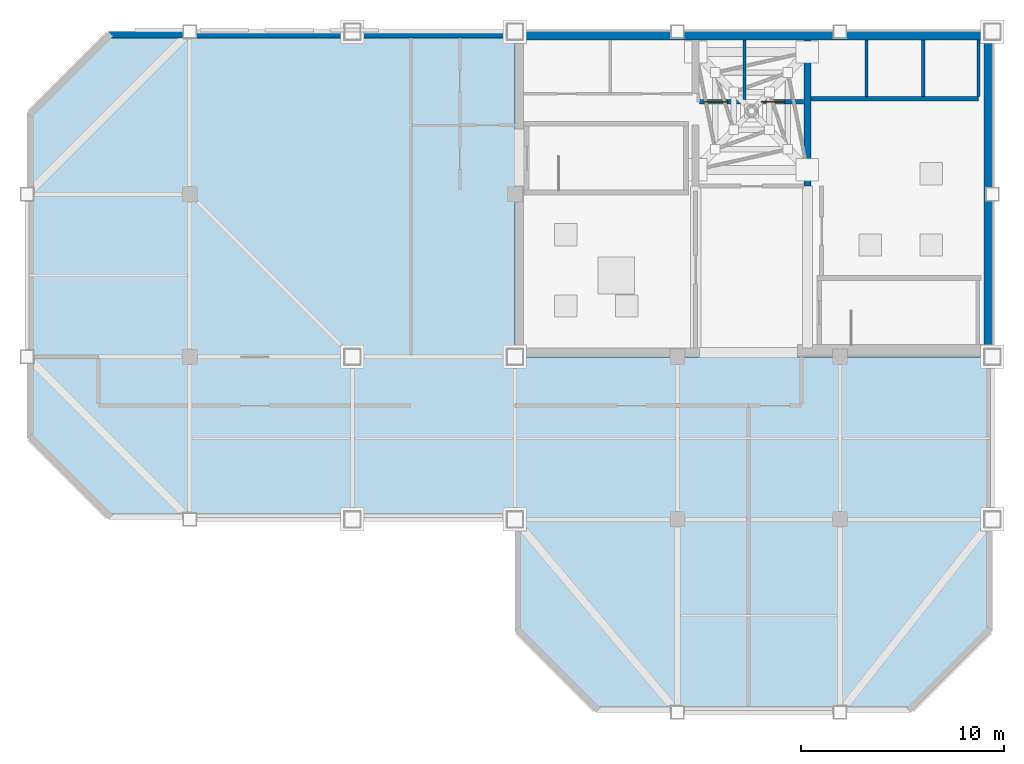
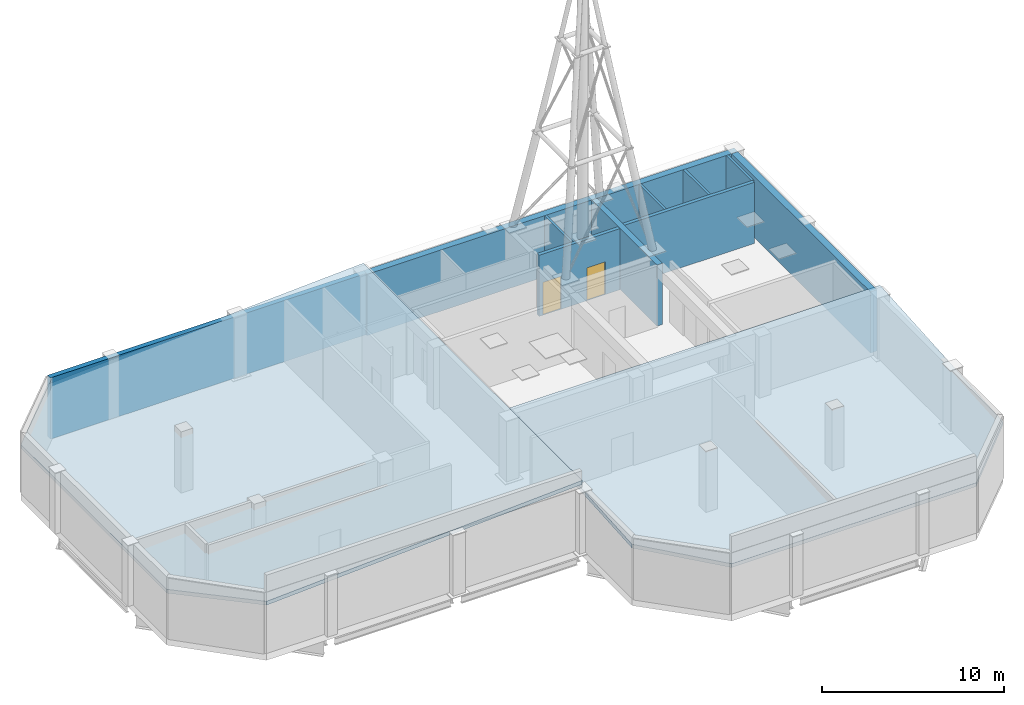
# One storey, part 6 of 7: 10 walls, 2 doors, 2 roofs, 2 openings.
"""IFC4 building model written with IfcOpenShell, lengths in metres."""

from ifc_helpers import new_model, si_unit, direction, frame, frame_2d, origin, place, context, subcontext, project, spatial, polyline, rectangle, outline, extrude, material, layer, layer_set, type_object, element, fill, save


model = new_model("IFC4")

# Units and contexts
model_context = context("Model", 3, precision=1e-05, world=origin(), true_north=direction((0.0, 1.0)))
body_context = subcontext(model_context, "Body", "Model", "MODEL_VIEW")
ifc_project = project(units=[si_unit("LENGTHUNIT", "METRE"), si_unit("AREAUNIT", "SQUARE_METRE"), si_unit("VOLUMEUNIT", "CUBIC_METRE"), si_unit("PLANEANGLEUNIT", "RADIAN"), si_unit("MASSUNIT", "GRAM", prefix="KILO")], contexts=[model_context])

# Site, building, storey
site_placement = place(None, origin())
site = spatial("IfcSite", under=ifc_project, at=site_placement, CompositionType="ELEMENT")
building_placement = place(site_placement, origin())
building = spatial("IfcBuilding", under=site, at=building_placement, Name="Qianrong Seaharbour Tower", CompositionType="ELEMENT")
storey_placement = place(building_placement, frame((0.0, 0.0, 383.800048828125)))
storey = spatial("IfcBuildingStorey", under=building, at=storey_placement, Name="L92", CompositionType="ELEMENT", Elevation=383.800048828125)

# Walls
ifc_material_1 = material(Name="Concrete C50/60", Category="concrete")
ifc_layer_1 = layer(ifc_material_1, 0.419921875)
ifc_layer_set_1 = layer_set([ifc_layer_1], Name="Concrete C50/60")
wall_type_1 = type_object("IfcWallType", Name="WALL-CORE-420", PredefinedType="SHEAR", material=ifc_layer_set_1)
wall_1_placement = place(storey_placement, frame((40.5, 51.7900390625, 0.0), z_axis=(0.0, 0.0, 1.0), x_axis=(1.0, 0.0, 0.0)))
element("IfcWall", 1, at=wall_1_placement, inside=storey, type_object=wall_type_1, Name="L92 North Core Shear Wall", PredefinedType="SHEAR", context=body_context, shape_type="SweptSolid", body=[
    extrude(rectangle(XDim=23.5, YDim=0.419921875, at=frame_2d((11.75, 0.0))), origin(), (0.0, 0.0, 1.0), 4.099853515625),
])
wall_2_placement = place(storey_placement, frame((63.7900390625, 36.320068359375, 0.0), z_axis=(0.0, 0.0, 1.0), x_axis=(0.0, 1.0, 0.0)))
element("IfcWall", 2, at=wall_2_placement, inside=storey, type_object=wall_type_1, Name="L92 East Core Shear Wall", PredefinedType="SHEAR", context=body_context, shape_type="SweptSolid", body=[
    extrude(rectangle(XDim=15.260009765625, YDim=0.419921875, at=frame_2d((7.6298828125, 0.0))), origin(), (0.0, 0.0, 1.0), 4.099853515625),
])
ifc_layer_2 = layer(ifc_material_1, 0.35009765625)
ifc_layer_set_2 = layer_set([ifc_layer_2], Name="Concrete C50/60")
wall_type_2 = type_object("IfcWallType", Name="WALL-CORE-INT-350", PredefinedType="SHEAR", material=ifc_layer_set_2)
wall_3_placement = place(storey_placement, frame((54.89990234375, 44.39990234375, 0.0), z_axis=(0.0, 0.0, 1.0), x_axis=(0.0, 1.0, 0.0)))
element("IfcWall", 3, at=wall_3_placement, inside=storey, type_object=wall_type_2, Name="L92 Internal Core Shear Wall IW2N", PredefinedType="SHEAR", context=body_context, shape_type="SweptSolid", body=[
    extrude(rectangle(XDim=7.18017578125, YDim=0.35009765625, at=frame_2d((3.590087890625, 0.0))), origin(), (0.0, 0.0, 1.0), 4.099853515625),
])
ifc_material_2 = material(Name="White architectural precast concrete C45/55", Category="concrete")
ifc_layer_3 = layer(ifc_material_2, 0.31005859375)
ifc_layer_set_3 = layer_set([ifc_layer_3], Name="White architectural precast concrete C45/55")
wall_type_3 = type_object("IfcWallType", Name="WALL-EXT-CROWN-WHITE-310", PredefinedType="SOLIDWALL", material=ifc_layer_set_3)
wall_4_placement = place(storey_placement, frame((20.5, 51.844970703125, 0.0), z_axis=(0.0, 0.0, 1.0), x_axis=(1.0, 0.0, 0.0)))
element("IfcWall", 4, at=wall_4_placement, inside=storey, type_object=wall_type_3, Name="L92 Exterior Masonry Facade Wall NORTH_WING", PredefinedType="SOLIDWALL", context=body_context, shape_type="SweptSolid", body=[
    extrude(rectangle(XDim=20.02001953125, YDim=0.31005859375, at=frame_2d((10.010009765625, 0.0))), origin(), (0.0, 0.0, 1.0), 4.099853515625),
])
ifc_material_3 = material(Name="Fire-rated gypsum board on steel studs", Category="steel")
ifc_layer_4 = layer(ifc_material_3, 0.14990234375)
ifc_layer_set_4 = layer_set([ifc_layer_4], Name="Fire-rated gypsum board on steel studs")
wall_type_4 = type_object("IfcWallType", Name="WALL-SHAFT-DIV-150", PredefinedType="PARTITIONING", material=ifc_layer_set_4)
wall_5_placement = place(storey_placement, frame((51.800048828125, 48.669921875, 0.0), z_axis=(0.0, 0.0, 1.0), x_axis=(0.0, 1.0, 0.0)))
element("IfcWall", 5, at=wall_5_placement, inside=storey, type_object=wall_type_4, Name="L92 Firefighting Lift Shaft Divider Wall", PredefinedType="PARTITIONING", context=body_context, shape_type="SweptSolid", body=[
    extrude(rectangle(XDim=2.91015625, YDim=0.14990234375, at=frame_2d((1.455078125, 0.0))), origin(), (0.0, 0.0, 1.0), 4.099853515625),
])
for number, where, z_axis, x_axis, name in (
    (6, (57.800048828125, 48.81005859375, 0.0), (0.0, 0.0, 1.0), (0.0, 1.0, 0.0), "L92 P4 Lift Hoistway Divider 2"),
    (7, (60.60009765625, 48.81005859375, 0.0), (0.0, 0.0, 1.0), (0.0, 1.0, 0.0), "L92 P4 Lift Hoistway Divider 3"),
    (8, (63.320068359375, 48.81005859375, 0.0), (0.0, 0.0, 1.0), (0.0, 1.0, 0.0), "L92 P4 Lift Hoistway Divider 4"),
):
    element("IfcWall", number, at=place(storey_placement, frame(where, z_axis=z_axis, x_axis=x_axis)), inside=storey, type_object=wall_type_4, Name=name, PredefinedType="PARTITIONING", context=body_context, shape_type="SweptSolid", body=[
        extrude(rectangle(XDim=2.77001953125, YDim=0.14990234375, at=frame_2d((1.385009765625, 0.0))), origin(), (0.0, 0.0, 1.0), 4.099853515625),
    ])

# Wall, openings, doors
ifc_layer_5 = layer(ifc_material_3, 0.219970703125)
ifc_layer_set_5 = layer_set([ifc_layer_5], Name="Fire-rated gypsum board on steel studs")
wall_type_5 = type_object("IfcWallType", Name="WALL-SHAFT-GYP220", PredefinedType="PARTITIONING", material=ifc_layer_set_5)
wall_6_placement = place(storey_placement, frame((54.7099609375, 48.550048828125, 0.0), z_axis=(0.0, 0.0, 1.0), x_axis=(-1.0, 0.0, 0.0)))
wall_6 = element("IfcWall", 9, at=wall_6_placement, inside=storey, type_object=wall_type_5, Name="L92 Firefighting Lift Shaft Front Wall", PredefinedType="PARTITIONING", context=body_context, shape_type="SweptSolid", body=[
    extrude(rectangle(XDim=5.119873046875, YDim=0.219970703125, at=frame_2d((2.56005859375, 0.0))), origin(), (0.0, 0.0, 1.0), 4.099853515625),
])
opening_1_placement = place(wall_6_placement, frame((3.735107421875, 0.0, 0.0)))
opening_1 = element("IfcOpeningElement", 10, at=opening_1_placement, cuts=wall_6, Name="Opening LD-01", PredefinedType="OPENING", context=body_context, shape_type="SweptSolid", body=[
    extrude(rectangle(XDim=1.14990234375, YDim=2.199951171875, at=frame_2d((0.574951171875, 1.10009765625))), frame((0.0, 0.1201171875, 0.0), z_axis=(0.0, -1.0, 0.0), x_axis=(1.0, 0.0, 0.0)), (0.0, 0.0, 1.0), 0.239990234375),
])
opening_2_placement = place(wall_6_placement, frame((0.93505859375, 0.0, 0.0)))
opening_2 = element("IfcOpeningElement", 11, at=opening_2_placement, cuts=wall_6, Name="Opening LD-01", PredefinedType="OPENING", context=body_context, shape_type="SweptSolid", body=[
    extrude(rectangle(XDim=1.14990234375, YDim=2.199951171875, at=frame_2d((0.574951171875, 1.10009765625))), frame((0.0, 0.1201171875, 0.0), z_axis=(0.0, -1.0, 0.0), x_axis=(1.0, 0.0, 0.0)), (0.0, 0.0, 1.0), 0.239990234375),
])
ifc_material_4 = material(Name="Stainless steel SUS316L bi-parting lift landing door", Category="steel")
door_type = type_object("IfcDoorType", Name="DOOR-LIFT-FF-1150x2200", OperationType="DOUBLE_DOOR_SLIDING", PredefinedType="DOOR", material=ifc_material_4)
door_1_placement = place(opening_1_placement, origin())
door_1 = element("IfcDoor", 12, at=door_1_placement, inside=storey, type_object=door_type, Name="L92 FL-1 Firefighting Lift Landing Door", OperationType="DOUBLE_DOOR_SLIDING", OverallHeight=2.199951171875, OverallWidth=1.14990234375, PredefinedType="DOOR", context=body_context, shape_type="SweptSolid", body=[
    extrude(rectangle(XDim=1.14990234375, YDim=2.199951171875, at=frame_2d((0.574951171875, 1.10009765625))), frame((0.0, 0.02490234375, 0.0), z_axis=(0.0, -1.0, 0.0), x_axis=(1.0, 0.0, 0.0)), (0.0, 0.0, 1.0), 0.050048828125),
])
fill(opening_1, door_1)
door_2_placement = place(opening_2_placement, origin())
door_2 = element("IfcDoor", 13, at=door_2_placement, inside=storey, type_object=door_type, Name="L92 FL-2 Firefighting Lift Landing Door", OperationType="DOUBLE_DOOR_SLIDING", OverallHeight=2.199951171875, OverallWidth=1.14990234375, PredefinedType="DOOR", context=body_context, shape_type="SweptSolid", body=[
    extrude(rectangle(XDim=1.14990234375, YDim=2.199951171875, at=frame_2d((0.574951171875, 1.10009765625))), frame((0.0, 0.02490234375, 0.0), z_axis=(0.0, -1.0, 0.0), x_axis=(1.0, 0.0, 0.0)), (0.0, 0.0, 1.0), 0.050048828125),
])
fill(opening_2, door_2)

# Wall
wall_7_placement = place(storey_placement, frame((63.320068359375, 48.699951171875, 0.0), z_axis=(0.0, 0.0, 1.0), x_axis=(-1.0, 0.0, 0.0)))
element("IfcWall", 14, at=wall_7_placement, inside=storey, type_object=wall_type_5, Name="L92 P4 Lift Hoistway Front Wall", PredefinedType="PARTITIONING", context=body_context, shape_type="SweptSolid", body=[
    extrude(rectangle(XDim=8.239990234375, YDim=0.219970703125, at=frame_2d((4.1201171875, 0.0))), origin(), (0.0, 0.0, 1.0), 4.099853515625),
])

# Roofs
ifc_material_5 = material(Name="Precast concrete C45/55", Category="concrete")
ifc_layer_6 = layer(ifc_material_5, 0.260009765625)
ifc_layer_set_6 = layer_set([ifc_layer_6], Name="Precast concrete C45/55")
roof_type = type_object("IfcRoofType", Name="ROOF-CROWN-HIP-260", PredefinedType="HIP_ROOF", material=ifc_layer_set_6)
roof_1_placement = place(storey_placement, frame((20.5, 28.0, 3.5), z_axis=(-0.054909709642, 0.0, 0.998491323842), x_axis=(0.998491323842, 0.0, 0.054909709642)))
element("IfcRoof", 15, at=roof_1_placement, inside=storey, type_object=roof_type, Name="L92 West Wing Sloped Crown Roof", PredefinedType="HIP_ROOF", context=body_context, shape_type="SweptSolid", body=[
    extrude(outline(polyline([(0.0, 0.0), (20.030219114024508, 0.0), (20.030219114024508, 24.000000000000007), (0.0, 24.000000000000007), (-4.006043822804902, 20.000000000000004), (-4.006043822804902, 4.000000000000001), (0.0, 0.0)])), origin(), (0.0, 0.0, -1.0), 0.260009765625),
])
roof_2_placement = place(storey_placement, frame((44.5, 18.5, 3.375), z_axis=(0.0, -0.069820187611, 0.997559592908), x_axis=(1.0, 0.0, 0.0)))
element("IfcRoof", 16, at=roof_2_placement, inside=storey, type_object=roof_type, Name="L92 South Wing Sloped Crown Roof", PredefinedType="HIP_ROOF", context=body_context, shape_type="SweptSolid", body=[
    extrude(outline(polyline([(0.0, 0.0), (15.5, 0.0), (19.5, 4.009790069674765), (19.5, 17.542812378139825), (-4.0, 17.542812378139825), (-4.0, 4.009790069674765), (0.0, 0.0)])), origin(), (0.0, 0.0, -1.0), 0.260009765625),
])

save(model, "model.ifc")
